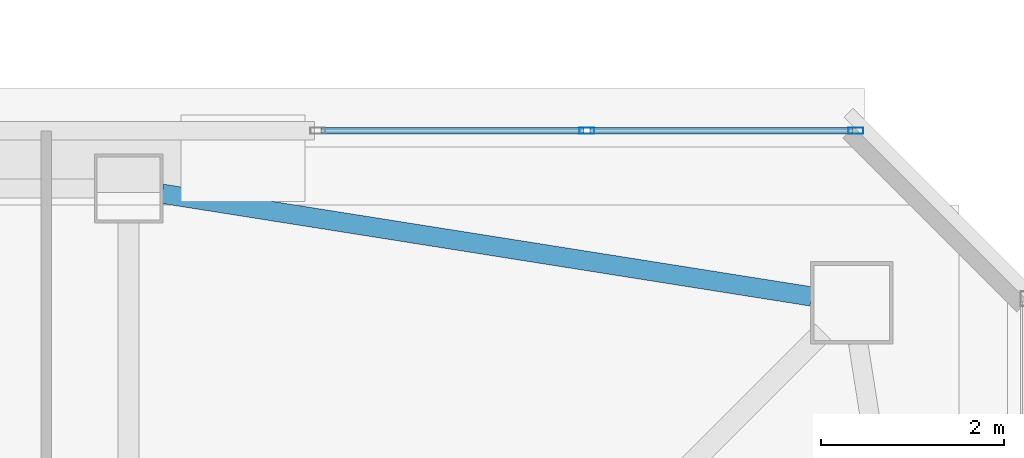
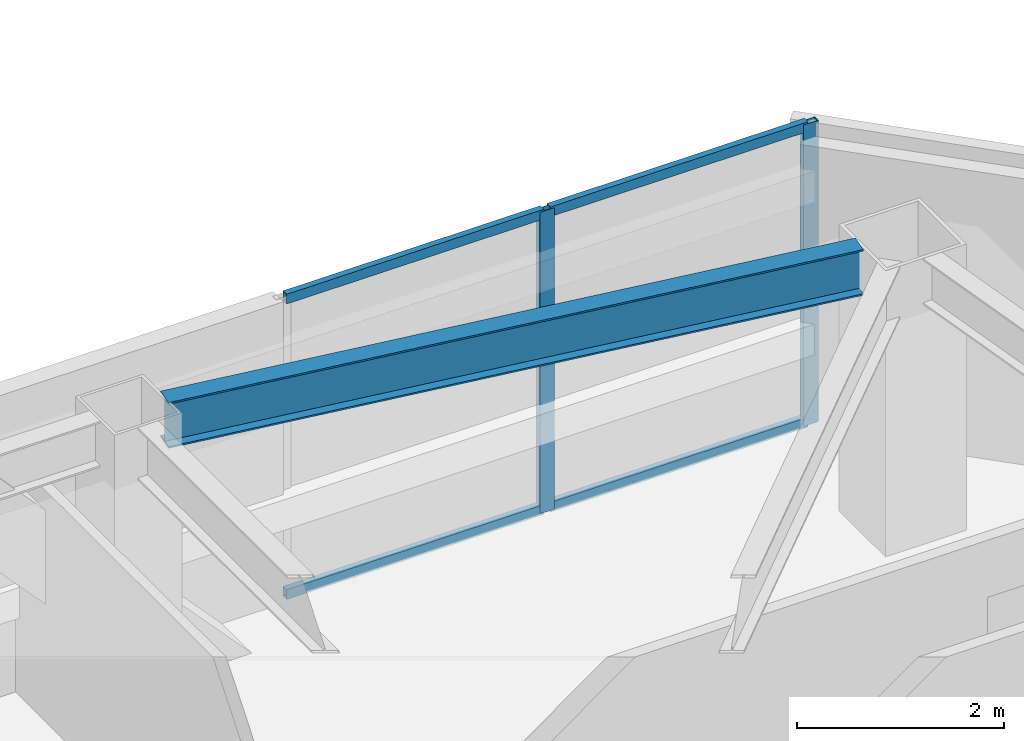
# One storey, part 16 of 24: 6 members, 1 beam, 1 element without a shape of its own.
"""IFC4 building model written with IfcOpenShell, lengths in metres."""

from ifc_helpers import new_model, si_unit, direction, frame, origin, origin_2d, place, context, subcontext, project, spatial, hollow_rectangle, i_section, extrude, material, material_profile, profile_set, type_object, element, aggregate, save


model = new_model("IFC4")

# Units and contexts
model_context = context("Model", 3, precision=1e-05, world=origin(), true_north=direction((0.0, 1.0)))
body_context = subcontext(model_context, "Body", "Model", "MODEL_VIEW")
ifc_project = project(units=[si_unit("LENGTHUNIT", "METRE"), si_unit("AREAUNIT", "SQUARE_METRE"), si_unit("VOLUMEUNIT", "CUBIC_METRE"), si_unit("PLANEANGLEUNIT", "RADIAN"), si_unit("MASSUNIT", "GRAM", prefix="KILO")], contexts=[model_context])

# Site, building, storey
site_placement = place(None, origin())
site = spatial("IfcSite", under=ifc_project, at=site_placement, CompositionType="ELEMENT")
building_placement = place(site_placement, origin())
building = spatial("IfcBuilding", under=site, at=building_placement, Name="Tashvorn Skyway Center", CompositionType="ELEMENT")
storey_placement = place(building_placement, frame((0.0, 0.0, 270.5)))
storey = spatial("IfcBuildingStorey", under=building, at=storey_placement, Name="L73", CompositionType="ELEMENT", Elevation=270.5)

# Beam
ifc_material_1 = material(Name="Steel ASTM A992 Grade 50", Category="steel")
ifc_material_profile_1 = material_profile(ifc_material_1, i_section(OverallWidth=0.2109375, OverallDepth=0.5390625, WebThickness=0.01171875, FlangeThickness=0.018798828125, at=origin_2d()), Name="W21X73")
ifc_profile_set_1 = profile_set([ifc_material_profile_1], Name="Steel ASTM A992 Grade 50")
beam_type = type_object("IfcBeamType", Name="BM-SPANDREL-W21X73", PredefinedType="SPANDREL", material=ifc_profile_set_1)
beam_placement = place(storey_placement, frame((54.8603515625, 45.36962890625, 3.1005859375), z_axis=(-0.987713587978, 0.156274976, 0.0), x_axis=(-0.156274976, -0.987713587978, 0.0)))
element("IfcBeam", 1, at=beam_placement, inside=storey, type_object=beam_type, Name="Tower 1 L73 Spandrel Beam 07", PredefinedType="SPANDREL", context=body_context, shape_type="SweptSolid", body=[
    extrude(i_section(OverallWidth=0.2109375, OverallDepth=0.5390625, WebThickness=0.01171875, FlangeThickness=0.018798828125, at=origin_2d()), origin(), (0.0, 0.0, 1.0), 7.18310546875),
])

# Curtain wall, members
ifc_material_2 = material(Name="Thermally broken bronze-anodized aluminium 6063-T6", Category="aluminium")
curtain_wall_type = type_object("IfcCurtainWallType", Name="CW-CW-Z5", PredefinedType="NOTDEFINED", material=ifc_material_2)
curtain_wall_placement = place(storey_placement, origin())
curtain_wall = element("IfcCurtainWall", 2, at=curtain_wall_placement, inside=storey, type_object=curtain_wall_type, Name="Tower 1 L73 North Unitised Curtain Wall Glazing Group 3", PredefinedType="NOTDEFINED")
ifc_material_profile_2 = material_profile(ifc_material_2, hollow_rectangle(XDim=0.070068359375, YDim=0.1650390625, WallThickness=0.00390625, at=origin_2d()), Name="ALU-MULL-70x165")
ifc_profile_set_2 = profile_set([ifc_material_profile_2], Name="Thermally broken bronze-anodized aluminium 6063-T6")
member_type_1 = type_object("IfcMemberType", Name="CWM-CW-Z5", PredefinedType="MULLION", material=ifc_profile_set_2)
member_1_placement = place(storey_placement, frame((52.40673828125, 47.179931640625, 0.0), z_axis=(0.0, 0.0, 1.0), x_axis=(0.0, 1.0, 0.0)))
member_1 = element("IfcMember", 3, at=member_1_placement, type_object=member_type_1, Name="CW-Z5 mullion 2", PredefinedType="MULLION", context=body_context, shape_type="SweptSolid", body=[
    extrude(hollow_rectangle(XDim=0.070068359375, YDim=0.1650390625, WallThickness=0.00390625, at=origin_2d()), origin(), (0.0, 0.0, 1.0), 3.550048828125),
])
member_2_placement = place(storey_placement, frame((55.344970703125, 47.179931640625, 0.0), z_axis=(0.0, 0.0, 1.0), x_axis=(0.0, 1.0, 0.0)))
member_2 = element("IfcMember", 4, at=member_2_placement, type_object=member_type_1, Name="CW-Z5 mullion 3", PredefinedType="MULLION", context=body_context, shape_type="SweptSolid", body=[
    extrude(hollow_rectangle(XDim=0.070068359375, YDim=0.1650390625, WallThickness=0.00390625, at=origin_2d()), origin(), (0.0, 0.0, 1.0), 3.550048828125),
])
ifc_material_profile_3 = material_profile(ifc_material_2, hollow_rectangle(XDim=0.070068359375, YDim=0.114990234375, WallThickness=0.00390625, at=origin_2d()), Name="ALU-TRAN-70x115")
ifc_profile_set_3 = profile_set([ifc_material_profile_3], Name="Thermally broken bronze-anodized aluminium 6063-T6")
member_type_2 = type_object("IfcMemberType", Name="CWT-CW-Z5", PredefinedType="USERDEFINED", material=ifc_profile_set_3)
member_3_placement = place(storey_placement, frame((49.50341796875, 47.179931640625, 0.034912109375), z_axis=(1.0, 0.0, 0.0), x_axis=(0.0, 1.0, 0.0)))
member_3 = element("IfcMember", 5, at=member_3_placement, type_object=member_type_2, Name="CW-Z5 transom 1.1", ObjectType="TRANSOM", PredefinedType="USERDEFINED", context=body_context, shape_type="SweptSolid", body=[
    extrude(hollow_rectangle(XDim=0.070068359375, YDim=0.114990234375, WallThickness=0.00390625, at=origin_2d()), origin(), (0.0, 0.0, 1.0), 2.8681640625),
])
member_4_placement = place(storey_placement, frame((49.50341796875, 47.179931640625, 3.514892578125), z_axis=(1.0, 0.0, 0.0), x_axis=(0.0, 1.0, 0.0)))
member_4 = element("IfcMember", 6, at=member_4_placement, type_object=member_type_2, Name="CW-Z5 transom 1.2", ObjectType="TRANSOM", PredefinedType="USERDEFINED", context=body_context, shape_type="SweptSolid", body=[
    extrude(hollow_rectangle(XDim=0.070068359375, YDim=0.114990234375, WallThickness=0.00390625, at=origin_2d()), origin(), (0.0, 0.0, 1.0), 2.8681640625),
])
member_5_placement = place(storey_placement, frame((52.441650390625, 47.179931640625, 0.034912109375), z_axis=(1.0, 0.0, 0.0), x_axis=(0.0, 1.0, 0.0)))
member_5 = element("IfcMember", 7, at=member_5_placement, type_object=member_type_2, Name="CW-Z5 transom 2.1", ObjectType="TRANSOM", PredefinedType="USERDEFINED", context=body_context, shape_type="SweptSolid", body=[
    extrude(hollow_rectangle(XDim=0.070068359375, YDim=0.114990234375, WallThickness=0.00390625, at=origin_2d()), origin(), (0.0, 0.0, 1.0), 2.868408203125),
])
member_6_placement = place(storey_placement, frame((52.441650390625, 47.179931640625, 3.514892578125), z_axis=(1.0, 0.0, 0.0), x_axis=(0.0, 1.0, 0.0)))
member_6 = element("IfcMember", 8, at=member_6_placement, type_object=member_type_2, Name="CW-Z5 transom 2.2", ObjectType="TRANSOM", PredefinedType="USERDEFINED", context=body_context, shape_type="SweptSolid", body=[
    extrude(hollow_rectangle(XDim=0.070068359375, YDim=0.114990234375, WallThickness=0.00390625, at=origin_2d()), origin(), (0.0, 0.0, 1.0), 2.868408203125),
])
aggregate(curtain_wall, [member_1, member_2, member_3, member_4, member_5, member_6])

save(model, "model.ifc")
